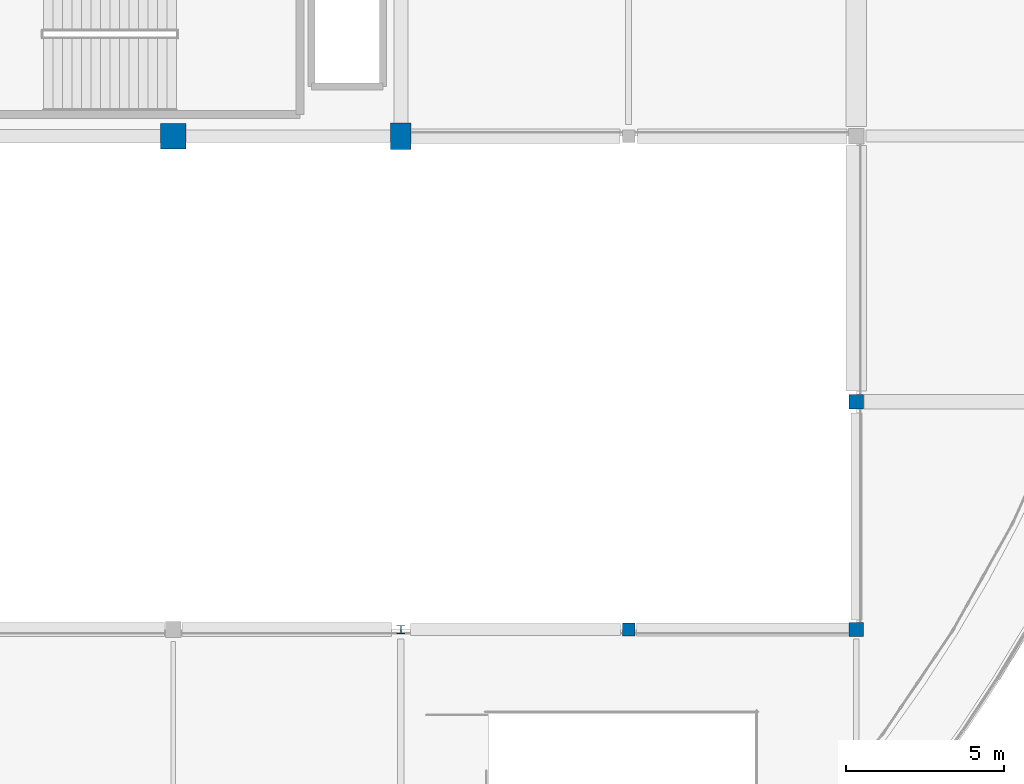
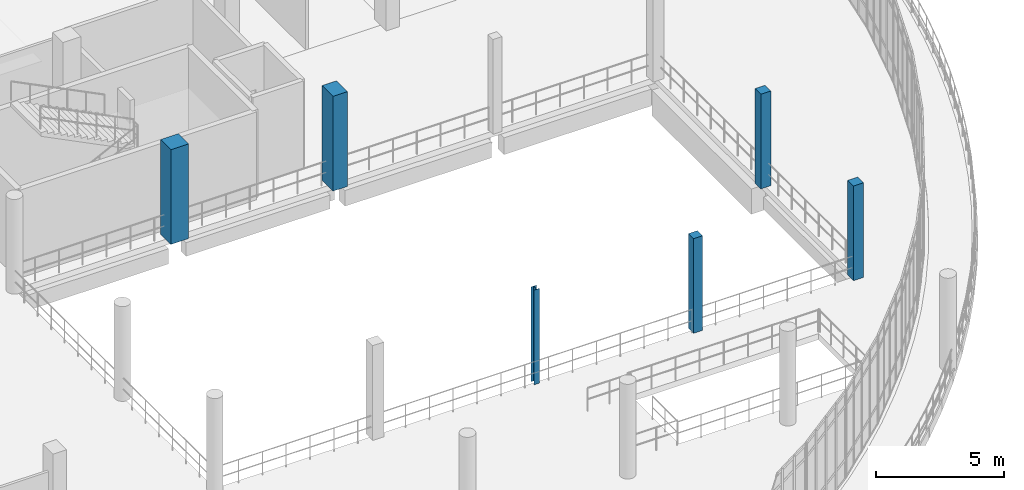
# One storey, part 7 of 116: 6 columns.
"""IFC4 building model written with IfcOpenShell, lengths in metres."""

from ifc_helpers import new_model, si_unit, direction, frame, origin, origin_2d, place, context, subcontext, project, spatial, rectangle, i_section, extrude, material, material_profile, profile_set, type_object, element, save


model = new_model("IFC4")

# Units and contexts
model_context = context("Model", 3, precision=1e-05, world=origin(), true_north=direction((0.0, 1.0)))
body_context = subcontext(model_context, "Body", "Model", "MODEL_VIEW")
ifc_project = project(units=[si_unit("LENGTHUNIT", "METRE"), si_unit("AREAUNIT", "SQUARE_METRE"), si_unit("VOLUMEUNIT", "CUBIC_METRE"), si_unit("PLANEANGLEUNIT", "RADIAN"), si_unit("MASSUNIT", "GRAM", prefix="KILO")], contexts=[model_context])

# Site, building, storey
site_placement = place(None, origin())
site = spatial("IfcSite", under=ifc_project, at=site_placement, CompositionType="ELEMENT")
building_placement = place(site_placement, origin())
building = spatial("IfcBuilding", under=site, at=building_placement, Name="Kalluvel Institute of Natural Sciences", CompositionType="ELEMENT")
storey_placement = place(building_placement, frame((0.0, 0.0, 14.39990234375)))
storey = spatial("IfcBuildingStorey", under=building, at=storey_placement, Name="L03", CompositionType="ELEMENT", Elevation=14.39990234375)

# Columns
ifc_material_1 = material(Name="Steel E350 Grade 350", Category="steel")
ifc_material_profile_1 = material_profile(ifc_material_1, i_section(OverallWidth=0.25, OverallDepth=0.25, WebThickness=0.0087890625, FlangeThickness=0.009765625, FilletRadius=0.010009765625, at=origin_2d()), Name="ISHB 250")
ifc_profile_set_1 = profile_set([ifc_material_profile_1], Name="Steel E350 Grade 350")
column_type_1 = type_object("IfcColumnType", Name="COL-ISHB250", PredefinedType="COLUMN", material=ifc_profile_set_1)
column_1_placement = place(storey_placement, frame((57.199951171875, 78.800048828125, 0.0), z_axis=(0.0, 0.0, 1.0), x_axis=(1.0, 0.0, 0.0)))
element("IfcColumn", 1, at=column_1_placement, inside=storey, type_object=column_type_1, Name="L03 structural column COL-L03-X572-Y788", PredefinedType="COLUMN", context=body_context, shape_type="SweptSolid", body=[
    extrude(i_section(OverallWidth=0.25, OverallDepth=0.25, WebThickness=0.0087890625, FlangeThickness=0.009765625, FilletRadius=0.010009765625, at=origin_2d()), origin(), (0.0, 0.0, 1.0), 4.5),
])
ifc_material_2 = material(Name="Concrete M40", Category="concrete")
ifc_material_profile_2 = material_profile(ifc_material_2, rectangle(XDim=0.39990234375, YDim=0.39990234375, at=origin_2d()), Name="RC 400x400")
ifc_profile_set_2 = profile_set([ifc_material_profile_2], Name="Concrete M40")
column_type_2 = type_object("IfcColumnType", Name="COL-RC400", PredefinedType="COLUMN", material=ifc_profile_set_2)
column_2_placement = place(storey_placement, frame((64.39990234375, 78.800048828125, 0.0), z_axis=(0.0, 0.0, 1.0), x_axis=(1.0, 0.0, 0.0)))
element("IfcColumn", 2, at=column_2_placement, inside=storey, type_object=column_type_2, Name="L03 structural column COL-L03-X644-Y788", PredefinedType="COLUMN", context=body_context, shape_type="SweptSolid", body=[
    extrude(rectangle(XDim=0.39990234375, YDim=0.39990234375, at=origin_2d()), origin(), (0.0, 0.0, 1.0), 4.5),
])
ifc_material_profile_3 = material_profile(ifc_material_2, rectangle(XDim=0.449951171875, YDim=0.449951171875, at=origin_2d()), Name="RC 450x450")
ifc_profile_set_3 = profile_set([ifc_material_profile_3], Name="Concrete M40")
column_type_3 = type_object("IfcColumnType", Name="COL-RC450", PredefinedType="COLUMN", material=ifc_profile_set_3)
for number, where, z_axis, x_axis, name in (
    (3, (71.60009765625, 78.800048828125, 0.0), (0.0, 0.0, 1.0), (1.0, 0.0, 0.0), "L03 structural column COL-L03-X716-Y788"),
    (4, (71.60009765625, 86.0, 0.0), (0.0, 0.0, 1.0), (1.0, 0.0, 0.0), "L03 structural column COL-L03-X716-Y860"),
):
    element("IfcColumn", number, at=place(storey_placement, frame(where, z_axis=z_axis, x_axis=x_axis)), inside=storey, type_object=column_type_3, Name=name, PredefinedType="COLUMN", context=body_context, shape_type="SweptSolid", body=[
        extrude(rectangle(XDim=0.449951171875, YDim=0.449951171875, at=origin_2d()), origin(), (0.0, 0.0, 1.0), 4.5),
    ])
ifc_material_3 = material(Name="Concrete M50", Category="concrete")
ifc_material_profile_4 = material_profile(ifc_material_3, rectangle(XDim=0.64990234375, YDim=0.85009765625, at=origin_2d()), Name="RC 650x850")
ifc_profile_set_4 = profile_set([ifc_material_profile_4], Name="Concrete M50")
column_type_4 = type_object("IfcColumnType", Name="COL-RC650x850", PredefinedType="COLUMN", material=ifc_profile_set_4)
column_3_placement = place(storey_placement, frame((57.199951171875, 94.39990234375, 0.0), z_axis=(0.0, 0.0, 1.0), x_axis=(1.0, 0.0, 0.0)))
element("IfcColumn", 5, at=column_3_placement, inside=storey, type_object=column_type_4, Name="L03 structural column COL-L03-X572-Y944", PredefinedType="COLUMN", context=body_context, shape_type="SweptSolid", body=[
    extrude(rectangle(XDim=0.64990234375, YDim=0.85009765625, at=origin_2d()), origin(), (0.0, 0.0, 1.0), 4.5),
])
ifc_material_profile_5 = material_profile(ifc_material_3, rectangle(XDim=0.800048828125, YDim=0.800048828125, at=origin_2d()), Name="RC 800x800")
ifc_profile_set_5 = profile_set([ifc_material_profile_5], Name="Concrete M50")
column_type_5 = type_object("IfcColumnType", Name="COL-RC800", PredefinedType="COLUMN", material=ifc_profile_set_5)
column_4_placement = place(storey_placement, frame((50.0, 94.39990234375, 0.0), z_axis=(0.0, 0.0, 1.0), x_axis=(1.0, 0.0, 0.0)))
element("IfcColumn", 6, at=column_4_placement, inside=storey, type_object=column_type_5, Name="L03 structural column COL-L03-X500-Y944", PredefinedType="COLUMN", context=body_context, shape_type="SweptSolid", body=[
    extrude(rectangle(XDim=0.800048828125, YDim=0.800048828125, at=origin_2d()), origin(), (0.0, 0.0, 1.0), 4.5),
])

save(model, "model.ifc")
